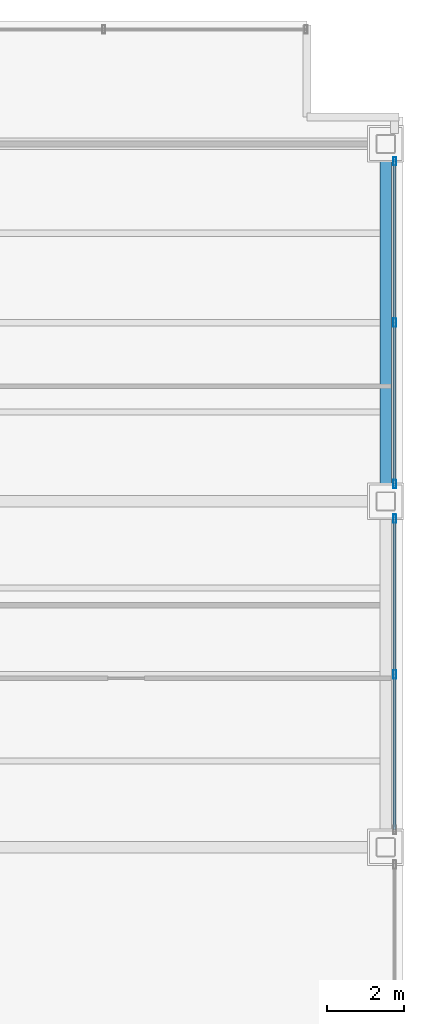
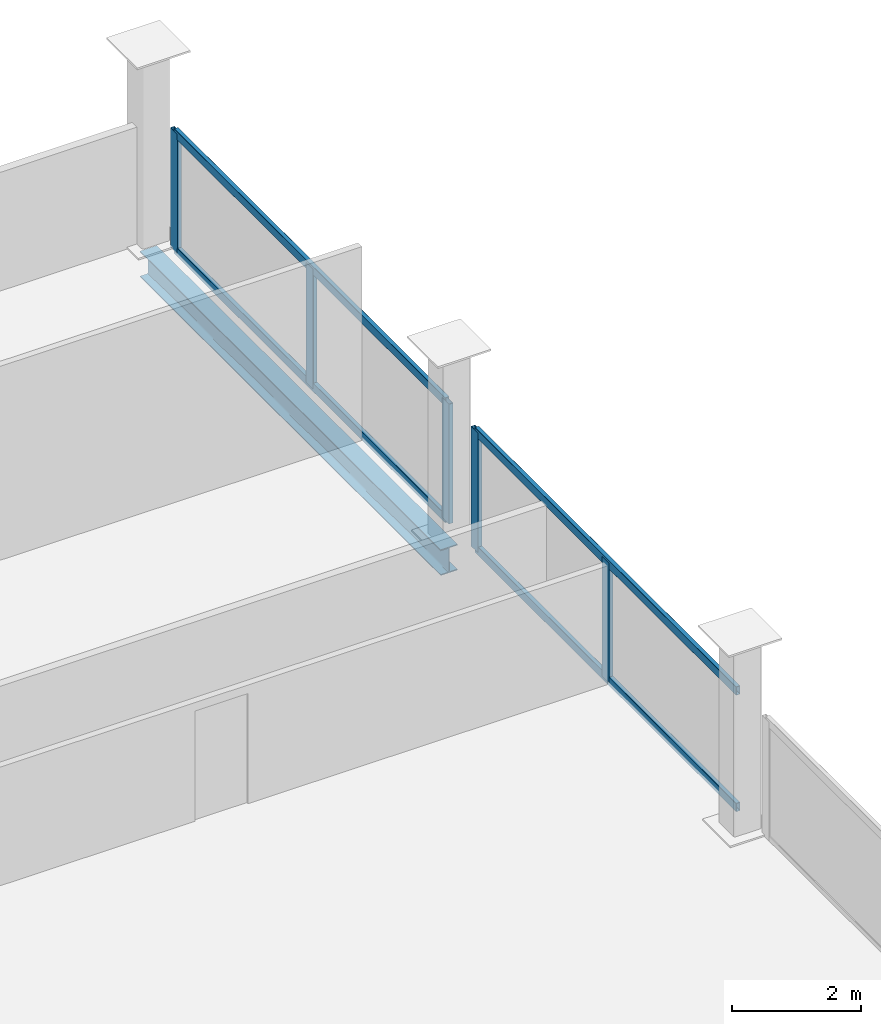
# One storey, part 13 of 21: 9 members, 1 beam, 2 elements without a shape of their own.
"""IFC4 building model written with IfcOpenShell, lengths in metres."""

from ifc_helpers import new_model, si_unit, direction, frame, origin, origin_2d, place, context, subcontext, project, spatial, hollow_rectangle, i_section, extrude, material, material_profile, profile_set, type_object, element, aggregate, save


model = new_model("IFC4")

# Units and contexts
model_context = context("Model", 3, precision=1e-05, world=origin(), true_north=direction((0.0, 1.0)))
body_context = subcontext(model_context, "Body", "Model", "MODEL_VIEW")
ifc_project = project(units=[si_unit("LENGTHUNIT", "METRE"), si_unit("AREAUNIT", "SQUARE_METRE"), si_unit("VOLUMEUNIT", "CUBIC_METRE"), si_unit("PLANEANGLEUNIT", "RADIAN"), si_unit("MASSUNIT", "GRAM", prefix="KILO")], contexts=[model_context])

# Site, building, storey
site_placement = place(None, origin())
site = spatial("IfcSite", under=ifc_project, at=site_placement, CompositionType="ELEMENT")
building_placement = place(site_placement, origin())
building = spatial("IfcBuilding", under=site, at=building_placement, Name="Noeulbin Bourse Tower", CompositionType="ELEMENT")
storey_placement = place(building_placement, frame((0.0, 0.0, 111.0)))
storey = spatial("IfcBuildingStorey", under=building, at=storey_placement, Name="L27", CompositionType="ELEMENT", Elevation=111.0)

# Beam
ifc_material_1 = material(Name="Steel S355", Category="steel")
ifc_material_profile_1 = material_profile(ifc_material_1, i_section(OverallWidth=0.300048828125, OverallDepth=0.488037109375, WebThickness=0.010986328125, FlangeThickness=0.01806640625, FilletRadius=0.02197265625, at=origin_2d()), Name="H-488x300x11x18", Category="LoadBearing")
ifc_profile_set_1 = profile_set([ifc_material_profile_1], Name="Steel S355")
beam_type = type_object("IfcBeamType", Name="BM-SPN-488", PredefinedType="SPANDREL", material=ifc_profile_set_1)
beam_placement = place(storey_placement, frame((57.050048828125, 29.0, -0.424072265625), z_axis=(0.0, 1.0, 0.0), x_axis=(-1.0, 0.0, 0.0)))
element("IfcBeam", 1, at=beam_placement, inside=storey, type_object=beam_type, Name="East Spandrel L27-2", PredefinedType="SPANDREL", context=body_context, shape_type="SweptSolid", body=[
    extrude(i_section(OverallWidth=0.300048828125, OverallDepth=0.488037109375, WebThickness=0.010986328125, FlangeThickness=0.01806640625, FilletRadius=0.02197265625, at=origin_2d()), origin(), (0.0, 0.0, 1.0), 9.300048828125),
])

# Curtain wall, members
ifc_material_2 = material(Name="Dark Tinted Triple Glazing", Category="glass")
curtain_wall_type = type_object("IfcCurtainWallType", Name="CW-SYS-3", PredefinedType="NOTDEFINED", material=ifc_material_2)
curtain_wall_1_placement = place(storey_placement, origin())
curtain_wall_1 = element("IfcCurtainWall", 2, at=curtain_wall_1_placement, inside=storey, type_object=curtain_wall_type, Name="Unitised Curtain Wall CW-L27-E-S2", PredefinedType="NOTDEFINED")
ifc_material_3 = material(Name="Anodised Aluminium 6063-T6", Category="aluminium")
ifc_material_profile_2 = material_profile(ifc_material_3, hollow_rectangle(XDim=0.074951171875, YDim=0.219970703125, WallThickness=0.0048828125, InnerFilletRadius=0.00244140625, OuterFilletRadius=0.0048828125, at=origin_2d()), Name="ALU-MULL-75x220x5", Category="LoadBearing")
ifc_profile_set_2 = profile_set([ifc_material_profile_2], Name="Anodised Aluminium 6063-T6")
member_type_1 = type_object("IfcMemberType", Name="CW-SYS-3-MUL", PredefinedType="MULLION", material=ifc_profile_set_2)
member_1_placement = place(storey_placement, frame((57.280029296875, 24.5, -0.02001953125), z_axis=(0.0, 0.0, 1.0), x_axis=(1.0, 0.0, 0.0)))
member_1 = element("IfcMember", 3, at=member_1_placement, type_object=member_type_1, Name="Curtain Wall Mullion CW-L27-E-S2-M01", PredefinedType="MULLION", context=body_context, shape_type="SweptSolid", body=[
    extrude(hollow_rectangle(XDim=0.074951171875, YDim=0.219970703125, WallThickness=0.0048828125, InnerFilletRadius=0.00244140625, OuterFilletRadius=0.0048828125, at=origin_2d()), origin(), (0.0, 0.0, 1.0), 2.260009765625),
])
member_2_placement = place(storey_placement, frame((57.280029296875, 28.550048828125, -0.02001953125), z_axis=(0.0, 0.0, 1.0), x_axis=(1.0, 0.0, 0.0)))
member_2 = element("IfcMember", 4, at=member_2_placement, type_object=member_type_1, Name="Curtain Wall Mullion CW-L27-E-S2-M02", PredefinedType="MULLION", context=body_context, shape_type="SweptSolid", body=[
    extrude(hollow_rectangle(XDim=0.074951171875, YDim=0.219970703125, WallThickness=0.0048828125, InnerFilletRadius=0.00244140625, OuterFilletRadius=0.0048828125, at=origin_2d()), origin(), (0.0, 0.0, 1.0), 2.260009765625),
])

curtain_wall_2_placement = place(storey_placement, origin())
curtain_wall_2 = element("IfcCurtainWall", 5, at=curtain_wall_2_placement, inside=storey, type_object=curtain_wall_type, Name="Unitised Curtain Wall CW-L27-E-S3", PredefinedType="NOTDEFINED")
member_3_placement = place(storey_placement, frame((57.280029296875, 29.449951171875, -0.02001953125), z_axis=(0.0, 0.0, 1.0), x_axis=(1.0, 0.0, 0.0)))
member_3 = element("IfcMember", 6, at=member_3_placement, type_object=member_type_1, Name="Curtain Wall Mullion CW-L27-E-S3-M00", PredefinedType="MULLION", context=body_context, shape_type="SweptSolid", body=[
    extrude(hollow_rectangle(XDim=0.074951171875, YDim=0.219970703125, WallThickness=0.0048828125, InnerFilletRadius=0.00244140625, OuterFilletRadius=0.0048828125, at=origin_2d()), origin(), (0.0, 0.0, 1.0), 2.260009765625),
])
member_4_placement = place(storey_placement, frame((57.280029296875, 33.64990234375, -0.02001953125), z_axis=(0.0, 0.0, 1.0), x_axis=(1.0, 0.0, 0.0)))
member_4 = element("IfcMember", 7, at=member_4_placement, type_object=member_type_1, Name="Curtain Wall Mullion CW-L27-E-S3-M01", PredefinedType="MULLION", context=body_context, shape_type="SweptSolid", body=[
    extrude(hollow_rectangle(XDim=0.074951171875, YDim=0.219970703125, WallThickness=0.0048828125, InnerFilletRadius=0.00244140625, OuterFilletRadius=0.0048828125, at=origin_2d()), origin(), (0.0, 0.0, 1.0), 2.260009765625),
])
member_5_placement = place(storey_placement, frame((57.280029296875, 37.85009765625, -0.02001953125), z_axis=(0.0, 0.0, 1.0), x_axis=(1.0, 0.0, 0.0)))
member_5 = element("IfcMember", 8, at=member_5_placement, type_object=member_type_1, Name="Curtain Wall Mullion CW-L27-E-S3-M02", PredefinedType="MULLION", context=body_context, shape_type="SweptSolid", body=[
    extrude(hollow_rectangle(XDim=0.074951171875, YDim=0.219970703125, WallThickness=0.0048828125, InnerFilletRadius=0.00244140625, OuterFilletRadius=0.0048828125, at=origin_2d()), origin(), (0.0, 0.0, 1.0), 2.260009765625),
])

# Member
ifc_material_profile_3 = material_profile(ifc_material_3, hollow_rectangle(XDim=0.074951171875, YDim=0.159912109375, WallThickness=0.0048828125, InnerFilletRadius=0.00244140625, OuterFilletRadius=0.0048828125, at=origin_2d()), Name="ALU-TRAN-75x160x5", Category="LoadBearing")
ifc_profile_set_3 = profile_set([ifc_material_profile_3], Name="Anodised Aluminium 6063-T6")
member_type_2 = type_object("IfcMemberType", Name="CW-SYS-3-TRN", PredefinedType="USERDEFINED", material=ifc_profile_set_3)
member_6_placement = place(storey_placement, frame((57.280029296875, 20.4599609375, 0.010009765625), z_axis=(0.0, 1.0, 0.0), x_axis=(-1.0, 0.0, 0.0)))
member_6 = element("IfcMember", 9, at=member_6_placement, type_object=member_type_2, Name="Curtain Wall Transom CW-L27-E-S2-T00", ObjectType="TRANSOM", PredefinedType="USERDEFINED", context=body_context, shape_type="SweptSolid", body=[
    extrude(hollow_rectangle(XDim=0.074951171875, YDim=0.159912109375, WallThickness=0.0048828125, InnerFilletRadius=0.00244140625, OuterFilletRadius=0.0048828125, at=origin_2d()), origin(), (0.0, 0.0, 1.0), 8.080078125),
])

member_7_placement = place(storey_placement, frame((57.280029296875, 20.4599609375, 2.2099609375), z_axis=(0.0, 1.0, 0.0), x_axis=(-1.0, 0.0, 0.0)))
member_7 = element("IfcMember", 10, at=member_7_placement, type_object=member_type_2, Name="Curtain Wall Transom CW-L27-E-S2-T01", ObjectType="TRANSOM", PredefinedType="USERDEFINED", context=body_context, shape_type="SweptSolid", body=[
    extrude(hollow_rectangle(XDim=0.074951171875, YDim=0.159912109375, WallThickness=0.0048828125, InnerFilletRadius=0.00244140625, OuterFilletRadius=0.0048828125, at=origin_2d()), origin(), (0.0, 0.0, 1.0), 8.080078125),
])

aggregate(curtain_wall_1, [member_1, member_2, member_6, member_7])

member_8_placement = place(storey_placement, frame((57.280029296875, 29.4599609375, 0.010009765625), z_axis=(0.0, 1.0, 0.0), x_axis=(-1.0, 0.0, 0.0)))
member_8 = element("IfcMember", 11, at=member_8_placement, type_object=member_type_2, Name="Curtain Wall Transom CW-L27-E-S3-T00", ObjectType="TRANSOM", PredefinedType="USERDEFINED", context=body_context, shape_type="SweptSolid", body=[
    extrude(hollow_rectangle(XDim=0.074951171875, YDim=0.159912109375, WallThickness=0.0048828125, InnerFilletRadius=0.00244140625, OuterFilletRadius=0.0048828125, at=origin_2d()), origin(), (0.0, 0.0, 1.0), 8.380126953125),
])

member_9_placement = place(storey_placement, frame((57.280029296875, 29.4599609375, 2.2099609375), z_axis=(0.0, 1.0, 0.0), x_axis=(-1.0, 0.0, 0.0)))
member_9 = element("IfcMember", 12, at=member_9_placement, type_object=member_type_2, Name="Curtain Wall Transom CW-L27-E-S3-T01", ObjectType="TRANSOM", PredefinedType="USERDEFINED", context=body_context, shape_type="SweptSolid", body=[
    extrude(hollow_rectangle(XDim=0.074951171875, YDim=0.159912109375, WallThickness=0.0048828125, InnerFilletRadius=0.00244140625, OuterFilletRadius=0.0048828125, at=origin_2d()), origin(), (0.0, 0.0, 1.0), 8.380126953125),
])

aggregate(curtain_wall_2, [member_3, member_4, member_5, member_8, member_9])

save(model, "model.ifc")
